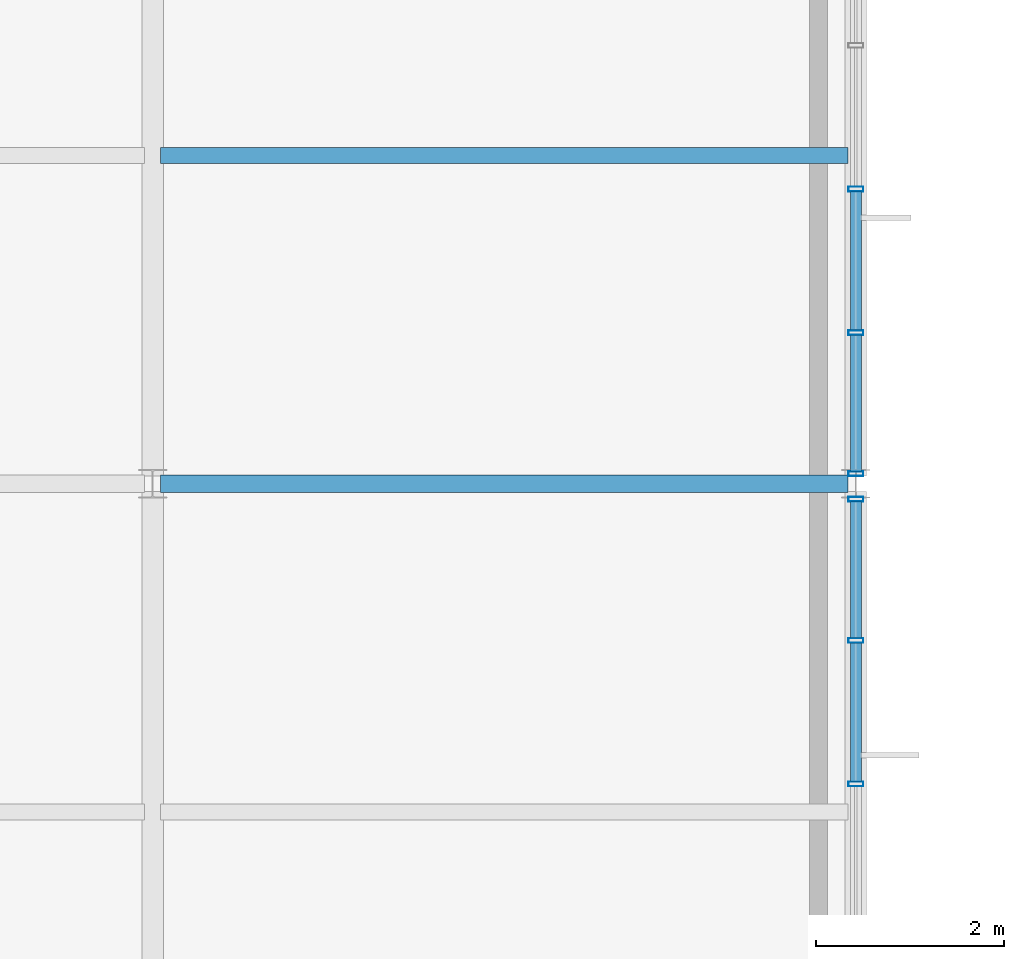
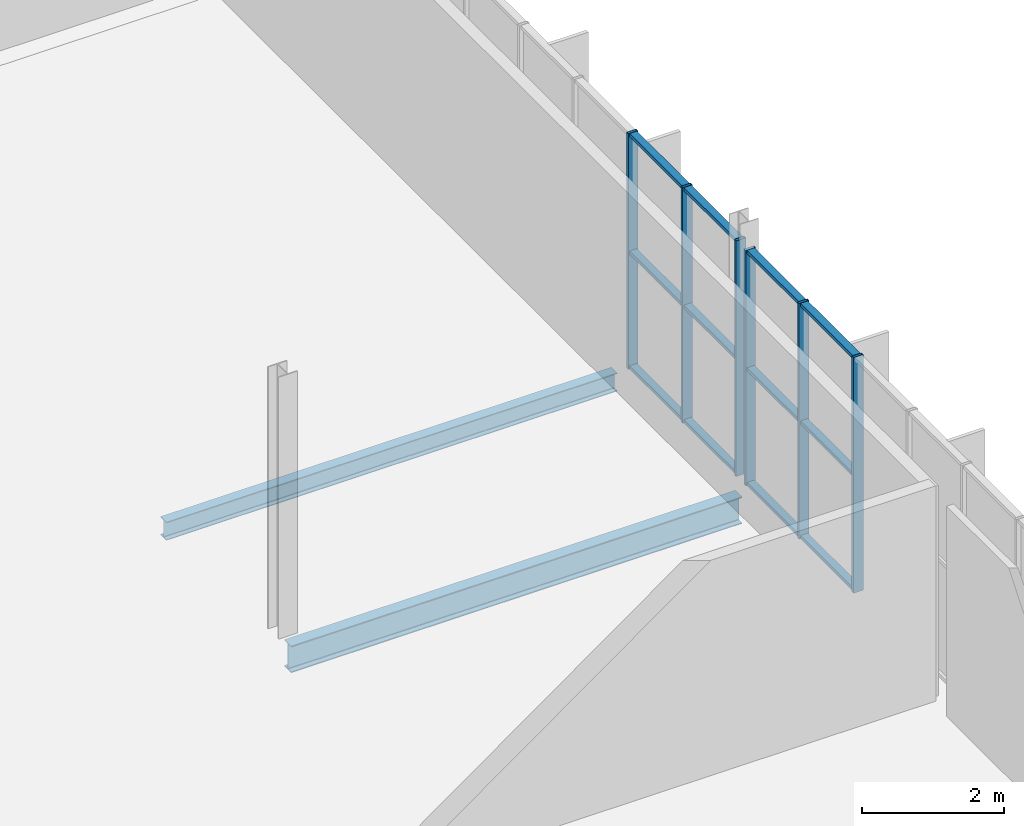
# One storey, part 52 of 324: 18 members, 2 beams, 2 elements without a shape of their own.
"""IFC4 building model written with IfcOpenShell, lengths in metres."""

from ifc_helpers import new_model, si_unit, direction, frame, origin, origin_2d, place, context, subcontext, project, spatial, hollow_rectangle, i_section, extrude, material, layer, layer_set, material_profile, profile_set, type_object, element, aggregate, save


model = new_model("IFC4")

# Units and contexts
model_context = context("Model", 3, precision=1e-05, world=origin(), true_north=direction((0.0, 1.0)))
body_context = subcontext(model_context, "Body", "Model", "MODEL_VIEW")
ifc_project = project(units=[si_unit("LENGTHUNIT", "METRE"), si_unit("AREAUNIT", "SQUARE_METRE"), si_unit("VOLUMEUNIT", "CUBIC_METRE"), si_unit("PLANEANGLEUNIT", "RADIAN"), si_unit("MASSUNIT", "GRAM", prefix="KILO")], contexts=[model_context])

# Site, building, storey
site_placement = place(None, origin())
site = spatial("IfcSite", under=ifc_project, at=site_placement, CompositionType="ELEMENT")
building_placement = place(site_placement, origin())
building = spatial("IfcBuilding", under=site, at=building_placement, Name="Solvenia Promenade Tram Depot", CompositionType="ELEMENT")
storey_placement = place(building_placement, frame((0.0, 0.0, 4.5)))
storey = spatial("IfcBuildingStorey", under=building, at=storey_placement, Name="L01", CompositionType="ELEMENT", Elevation=4.5)

# Beam
ifc_material_1 = material(Name="Structural steel ASTM A992 Gr. 50", Category="steel")
ifc_material_profile_1 = material_profile(ifc_material_1, i_section(OverallWidth=0.19091796875, OverallDepth=0.4599609375, WebThickness=0.010009765625, FlangeThickness=0.01611328125, FilletRadius=0.012939453125, at=origin_2d()), Name="W460x82", Category="steel")
ifc_profile_set_1 = profile_set([ifc_material_profile_1], Name="Structural steel ASTM A992 Gr. 50")
beam_type_1 = type_object("IfcBeamType", Name="Beam-W460x82", PredefinedType="BEAM", material=ifc_profile_set_1)
beam_1_placement = place(storey_placement, frame((37.5849609375, 52.0, -0.469970703125), z_axis=(1.0, 0.0, 0.0), x_axis=(0.0, 1.0, 0.0)))
element("IfcBeam", 1, at=beam_1_placement, inside=storey, type_object=beam_type_1, Name="Primary Girder BM-L01-0228", PredefinedType="BEAM", context=body_context, shape_type="SweptSolid", body=[
    extrude(i_section(OverallWidth=0.19091796875, OverallDepth=0.4599609375, WebThickness=0.010009765625, FlangeThickness=0.01611328125, FilletRadius=0.012939453125, at=origin_2d()), origin(), (0.0, 0.0, 1.0), 7.330078125),
])

# Curtain wall, members
ifc_material_2 = material(Name="Anodized aluminium AW-6063 T6", Category="aluminium")
ifc_layer = layer(ifc_material_2, 0.1201171875, Name="Anodized aluminium AW-6063 T6", Category="aluminium")
ifc_layer_set = layer_set([ifc_layer], Name="Anodized aluminium AW-6063 T6")
curtain_wall_type = type_object("IfcCurtainWallType", Name="CW-Wash-1500", PredefinedType="NOTDEFINED", material=ifc_layer_set)
curtain_wall_1_placement = place(storey_placement, origin())
curtain_wall_1 = element("IfcCurtainWall", 2, at=curtain_wall_1_placement, inside=storey, type_object=curtain_wall_type, Name="Curtain Wall CW-V3-E-L1-2", PredefinedType="NOTDEFINED")
ifc_material_profile_2 = material_profile(ifc_material_2, hollow_rectangle(XDim=0.159912109375, YDim=0.052001953125, WallThickness=0.00390625, at=origin_2d()), Name="ALU-M1", Category="aluminium")
ifc_profile_set_2 = profile_set([ifc_material_profile_2], Name="Anodized aluminium AW-6063 T6")
member_type_1 = type_object("IfcMemberType", Name="CWM-Mullion-1", PredefinedType="MULLION", material=ifc_profile_set_2)
member_1_placement = place(storey_placement, frame((45.0, 48.7978515625, 0.0), z_axis=(0.0, 0.0, 1.0), x_axis=(-1.0, 0.0, 0.0)))
member_1 = element("IfcMember", 3, at=member_1_placement, type_object=member_type_1, Name="CW-10 mullion 8", PredefinedType="MULLION", context=body_context, shape_type="SweptSolid", body=[
    extrude(hollow_rectangle(XDim=0.159912109375, YDim=0.052001953125, WallThickness=0.00390625, at=origin_2d()), origin(), (0.0, 0.0, 1.0), 4.050048828125),
])
member_2_placement = place(storey_placement, frame((45.0, 50.328857421875, 0.0), z_axis=(0.0, 0.0, 1.0), x_axis=(-1.0, 0.0, 0.0)))
member_2 = element("IfcMember", 4, at=member_2_placement, type_object=member_type_1, Name="CW-10 mullion 9", PredefinedType="MULLION", context=body_context, shape_type="SweptSolid", body=[
    extrude(hollow_rectangle(XDim=0.159912109375, YDim=0.052001953125, WallThickness=0.00390625, at=origin_2d()), origin(), (0.0, 0.0, 1.0), 4.050048828125),
])
member_3_placement = place(storey_placement, frame((45.0, 51.833984375, 0.0), z_axis=(0.0, 0.0, 1.0), x_axis=(-1.0, 0.0, 0.0)))
member_3 = element("IfcMember", 5, at=member_3_placement, type_object=member_type_1, Name="CW-10 mullion 10", PredefinedType="MULLION", context=body_context, shape_type="SweptSolid", body=[
    extrude(hollow_rectangle(XDim=0.159912109375, YDim=0.052001953125, WallThickness=0.00390625, at=origin_2d()), origin(), (0.0, 0.0, 1.0), 4.050048828125),
])

curtain_wall_2_placement = place(storey_placement, origin())
curtain_wall_2 = element("IfcCurtainWall", 6, at=curtain_wall_2_placement, inside=storey, type_object=curtain_wall_type, Name="Curtain Wall CW-V3-E-L1-3", PredefinedType="NOTDEFINED")
member_4_placement = place(storey_placement, frame((45.0, 52.10595703125, 0.0), z_axis=(0.0, 0.0, 1.0), x_axis=(-1.0, 0.0, 0.0)))
member_4 = element("IfcMember", 7, at=member_4_placement, type_object=member_type_1, Name="CW-10 mullion 1", PredefinedType="MULLION", context=body_context, shape_type="SweptSolid", body=[
    extrude(hollow_rectangle(XDim=0.159912109375, YDim=0.052001953125, WallThickness=0.00390625, at=origin_2d()), origin(), (0.0, 0.0, 1.0), 4.050048828125),
])
member_5_placement = place(storey_placement, frame((45.0, 53.611083984375, 0.0), z_axis=(0.0, 0.0, 1.0), x_axis=(-1.0, 0.0, 0.0)))
member_5 = element("IfcMember", 8, at=member_5_placement, type_object=member_type_1, Name="CW-10 mullion 2", PredefinedType="MULLION", context=body_context, shape_type="SweptSolid", body=[
    extrude(hollow_rectangle(XDim=0.159912109375, YDim=0.052001953125, WallThickness=0.00390625, at=origin_2d()), origin(), (0.0, 0.0, 1.0), 4.050048828125),
])
member_6_placement = place(storey_placement, frame((45.0, 55.142333984375, 0.0), z_axis=(0.0, 0.0, 1.0), x_axis=(-1.0, 0.0, 0.0)))
member_6 = element("IfcMember", 9, at=member_6_placement, type_object=member_type_1, Name="CW-10 mullion 3", PredefinedType="MULLION", context=body_context, shape_type="SweptSolid", body=[
    extrude(hollow_rectangle(XDim=0.159912109375, YDim=0.052001953125, WallThickness=0.00390625, at=origin_2d()), origin(), (0.0, 0.0, 1.0), 4.050048828125),
])

# Member
ifc_material_profile_3 = material_profile(ifc_material_2, hollow_rectangle(XDim=0.1201171875, YDim=0.06005859375, WallThickness=0.00390625, at=origin_2d()), Name="ALU-T1", Category="aluminium")
ifc_profile_set_3 = profile_set([ifc_material_profile_3], Name="Anodized aluminium AW-6063 T6")
member_type_2 = type_object("IfcMemberType", Name="CWT-Transom-1", PredefinedType="USERDEFINED", material=ifc_profile_set_3)
member_7_placement = place(storey_placement, frame((45.0, 48.82373046875, 0.030029296875), z_axis=(0.0, 1.0, 0.0), x_axis=(-1.0, 0.0, 0.0)))
member_7 = element("IfcMember", 10, at=member_7_placement, type_object=member_type_2, Name="CW-10 transom 8.1", ObjectType="TRANSOM", PredefinedType="USERDEFINED", context=body_context, shape_type="SweptSolid", body=[
    extrude(hollow_rectangle(XDim=0.1201171875, YDim=0.06005859375, WallThickness=0.00390625, at=origin_2d()), origin(), (0.0, 0.0, 1.0), 1.479248046875),
])

member_8_placement = place(storey_placement, frame((45.0, 48.82373046875, 2.0), z_axis=(0.0, 1.0, 0.0), x_axis=(-1.0, 0.0, 0.0)))
member_8 = element("IfcMember", 11, at=member_8_placement, type_object=member_type_2, Name="CW-10 transom 8.2", ObjectType="TRANSOM", PredefinedType="USERDEFINED", context=body_context, shape_type="SweptSolid", body=[
    extrude(hollow_rectangle(XDim=0.1201171875, YDim=0.06005859375, WallThickness=0.00390625, at=origin_2d()), origin(), (0.0, 0.0, 1.0), 1.479248046875),
])

member_9_placement = place(storey_placement, frame((45.0, 48.82373046875, 4.02001953125), z_axis=(0.0, 1.0, 0.0), x_axis=(-1.0, 0.0, 0.0)))
member_9 = element("IfcMember", 12, at=member_9_placement, type_object=member_type_2, Name="CW-10 transom 8.3", ObjectType="TRANSOM", PredefinedType="USERDEFINED", context=body_context, shape_type="SweptSolid", body=[
    extrude(hollow_rectangle(XDim=0.1201171875, YDim=0.06005859375, WallThickness=0.00390625, at=origin_2d()), origin(), (0.0, 0.0, 1.0), 1.479248046875),
])

member_10_placement = place(storey_placement, frame((45.0, 50.35498046875, 0.030029296875), z_axis=(0.0, 1.0, 0.0), x_axis=(-1.0, 0.0, 0.0)))
member_10 = element("IfcMember", 13, at=member_10_placement, type_object=member_type_2, Name="CW-10 transom 9.1", ObjectType="TRANSOM", PredefinedType="USERDEFINED", context=body_context, shape_type="SweptSolid", body=[
    extrude(hollow_rectangle(XDim=0.1201171875, YDim=0.06005859375, WallThickness=0.00390625, at=origin_2d()), origin(), (0.0, 0.0, 1.0), 1.453125),
])

member_11_placement = place(storey_placement, frame((45.0, 50.35498046875, 2.0), z_axis=(0.0, 1.0, 0.0), x_axis=(-1.0, 0.0, 0.0)))
member_11 = element("IfcMember", 14, at=member_11_placement, type_object=member_type_2, Name="CW-10 transom 9.2", ObjectType="TRANSOM", PredefinedType="USERDEFINED", context=body_context, shape_type="SweptSolid", body=[
    extrude(hollow_rectangle(XDim=0.1201171875, YDim=0.06005859375, WallThickness=0.00390625, at=origin_2d()), origin(), (0.0, 0.0, 1.0), 1.453125),
])

member_12_placement = place(storey_placement, frame((45.0, 50.35498046875, 4.02001953125), z_axis=(0.0, 1.0, 0.0), x_axis=(-1.0, 0.0, 0.0)))
member_12 = element("IfcMember", 15, at=member_12_placement, type_object=member_type_2, Name="CW-10 transom 9.3", ObjectType="TRANSOM", PredefinedType="USERDEFINED", context=body_context, shape_type="SweptSolid", body=[
    extrude(hollow_rectangle(XDim=0.1201171875, YDim=0.06005859375, WallThickness=0.00390625, at=origin_2d()), origin(), (0.0, 0.0, 1.0), 1.453125),
])

aggregate(curtain_wall_1, [member_1, member_2, member_3, member_7, member_8, member_9, member_10, member_11, member_12])

member_13_placement = place(storey_placement, frame((45.0, 52.132080078125, 0.030029296875), z_axis=(0.0, 1.0, 0.0), x_axis=(-1.0, 0.0, 0.0)))
member_13 = element("IfcMember", 16, at=member_13_placement, type_object=member_type_2, Name="CW-10 transom 1.1", ObjectType="TRANSOM", PredefinedType="USERDEFINED", context=body_context, shape_type="SweptSolid", body=[
    extrude(hollow_rectangle(XDim=0.1201171875, YDim=0.06005859375, WallThickness=0.00390625, at=origin_2d()), origin(), (0.0, 0.0, 1.0), 1.453125),
])

member_14_placement = place(storey_placement, frame((45.0, 52.132080078125, 2.0), z_axis=(0.0, 1.0, 0.0), x_axis=(-1.0, 0.0, 0.0)))
member_14 = element("IfcMember", 17, at=member_14_placement, type_object=member_type_2, Name="CW-10 transom 1.2", ObjectType="TRANSOM", PredefinedType="USERDEFINED", context=body_context, shape_type="SweptSolid", body=[
    extrude(hollow_rectangle(XDim=0.1201171875, YDim=0.06005859375, WallThickness=0.00390625, at=origin_2d()), origin(), (0.0, 0.0, 1.0), 1.453125),
])

member_15_placement = place(storey_placement, frame((45.0, 52.132080078125, 4.02001953125), z_axis=(0.0, 1.0, 0.0), x_axis=(-1.0, 0.0, 0.0)))
member_15 = element("IfcMember", 18, at=member_15_placement, type_object=member_type_2, Name="CW-10 transom 1.3", ObjectType="TRANSOM", PredefinedType="USERDEFINED", context=body_context, shape_type="SweptSolid", body=[
    extrude(hollow_rectangle(XDim=0.1201171875, YDim=0.06005859375, WallThickness=0.00390625, at=origin_2d()), origin(), (0.0, 0.0, 1.0), 1.453125),
])

member_16_placement = place(storey_placement, frame((45.0, 53.63720703125, 0.030029296875), z_axis=(0.0, 1.0, 0.0), x_axis=(-1.0, 0.0, 0.0)))
member_16 = element("IfcMember", 19, at=member_16_placement, type_object=member_type_2, Name="CW-10 transom 2.1", ObjectType="TRANSOM", PredefinedType="USERDEFINED", context=body_context, shape_type="SweptSolid", body=[
    extrude(hollow_rectangle(XDim=0.1201171875, YDim=0.06005859375, WallThickness=0.00390625, at=origin_2d()), origin(), (0.0, 0.0, 1.0), 1.47900390625),
])

member_17_placement = place(storey_placement, frame((45.0, 53.63720703125, 2.0), z_axis=(0.0, 1.0, 0.0), x_axis=(-1.0, 0.0, 0.0)))
member_17 = element("IfcMember", 20, at=member_17_placement, type_object=member_type_2, Name="CW-10 transom 2.2", ObjectType="TRANSOM", PredefinedType="USERDEFINED", context=body_context, shape_type="SweptSolid", body=[
    extrude(hollow_rectangle(XDim=0.1201171875, YDim=0.06005859375, WallThickness=0.00390625, at=origin_2d()), origin(), (0.0, 0.0, 1.0), 1.47900390625),
])

member_18_placement = place(storey_placement, frame((45.0, 53.63720703125, 4.02001953125), z_axis=(0.0, 1.0, 0.0), x_axis=(-1.0, 0.0, 0.0)))
member_18 = element("IfcMember", 21, at=member_18_placement, type_object=member_type_2, Name="CW-10 transom 2.3", ObjectType="TRANSOM", PredefinedType="USERDEFINED", context=body_context, shape_type="SweptSolid", body=[
    extrude(hollow_rectangle(XDim=0.1201171875, YDim=0.06005859375, WallThickness=0.00390625, at=origin_2d()), origin(), (0.0, 0.0, 1.0), 1.47900390625),
])

aggregate(curtain_wall_2, [member_4, member_5, member_6, member_13, member_14, member_15, member_16, member_17, member_18])

# Beam
ifc_material_profile_4 = material_profile(ifc_material_1, i_section(OverallWidth=0.166015625, OverallDepth=0.31298828125, WebThickness=0.006591796875, FlangeThickness=0.01123046875, FilletRadius=0.010009765625, at=origin_2d()), Name="W310x45", Category="steel")
ifc_profile_set_4 = profile_set([ifc_material_profile_4], Name="Structural steel ASTM A992 Gr. 50")
beam_type_2 = type_object("IfcBeamType", Name="Joist-W310x45", PredefinedType="JOIST", material=ifc_profile_set_4)
beam_2_placement = place(storey_placement, frame((37.5849609375, 55.5, -0.396484375), z_axis=(1.0, 0.0, 0.0), x_axis=(0.0, 1.0, 0.0)))
element("IfcBeam", 22, at=beam_2_placement, inside=storey, type_object=beam_type_2, Name="Secondary Floor Joist BM-L01-0299", PredefinedType="JOIST", context=body_context, shape_type="SweptSolid", body=[
    extrude(i_section(OverallWidth=0.166015625, OverallDepth=0.31298828125, WebThickness=0.006591796875, FlangeThickness=0.01123046875, FilletRadius=0.010009765625, at=origin_2d()), origin(), (0.0, 0.0, 1.0), 7.330078125),
])

save(model, "model.ifc")
